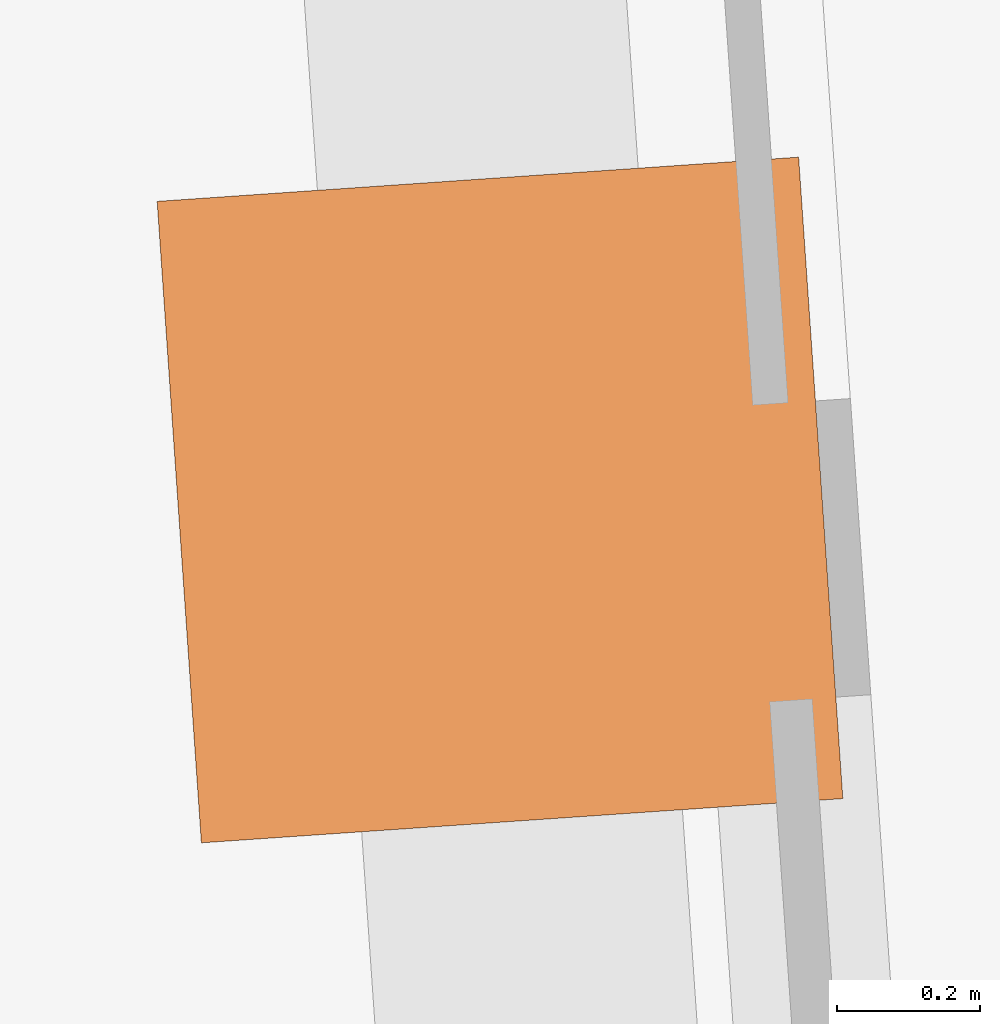
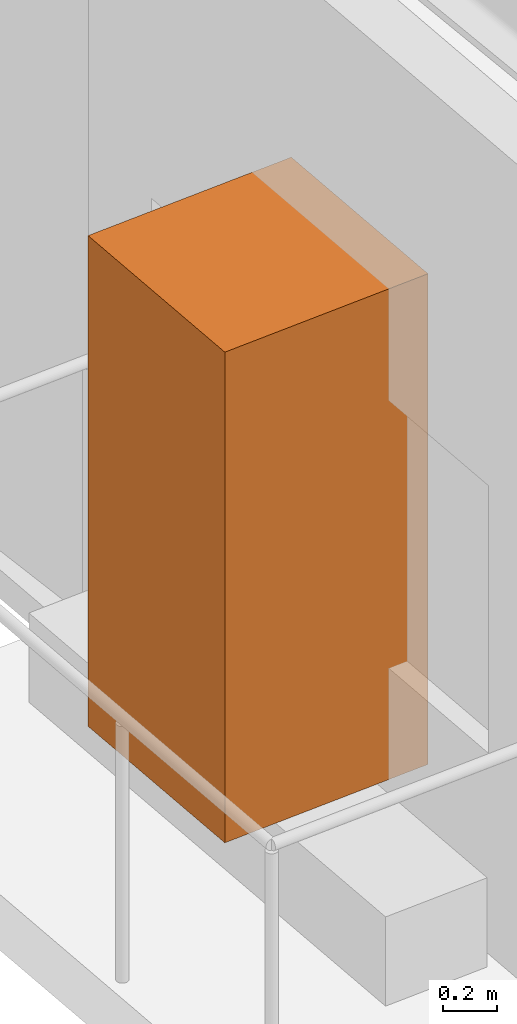
# One storey, part 11 of 11: 1 geographic element.
"""IFC4 building model written with IfcOpenShell, lengths in metres."""

from ifc_helpers import new_model, si_unit, direction, frame, origin, origin_2d, place, context, subcontext, project, spatial, rectangle, extrude, material, type_object, element, save


model = new_model("IFC4")

# Units and contexts
model_context = context("Model", 3, precision=1e-05, world=origin(), true_north=direction((0.0, 1.0)))
body_context = subcontext(model_context, "Body", "Model", "MODEL_VIEW")
ifc_project = project(units=[si_unit("LENGTHUNIT", "METRE"), si_unit("AREAUNIT", "SQUARE_METRE"), si_unit("VOLUMEUNIT", "CUBIC_METRE"), si_unit("PLANEANGLEUNIT", "RADIAN"), si_unit("MASSUNIT", "GRAM", prefix="KILO")], contexts=[model_context])

# Site, building, storey
site_placement = place(None, origin())
site = spatial("IfcSite", under=ifc_project, at=site_placement, CompositionType="ELEMENT")
building_placement = place(site_placement, origin())
building = spatial("IfcBuilding", under=site, at=building_placement, Name="Verdant Reach Tower", CompositionType="ELEMENT")
storey_placement = place(building_placement, frame((0.0, 0.0, 258.0)))
storey = spatial("IfcBuildingStorey", under=building, at=storey_placement, Name="L59", CompositionType="ELEMENT", Elevation=258.0)

# Geographic element
ifc_material = material(Name="Planting")
geographic_element_type = type_object("IfcGeographicElementType", Name="EN-TREE", PredefinedType="USERDEFINED", material=ifc_material)
geographic_element_placement = place(storey_placement, frame((-24.17626953125, 58.304931640625, 0.39990234375), z_axis=(0.0, 0.0, 1.0), x_axis=(0.068802091615, -0.997630328423, 0.0)))
element("IfcGeographicElement", 1, at=geographic_element_placement, inside=storey, type_object=geographic_element_type, Name="Balcony tree, Surinam cherry (Eugenia uniflora), L59 1", ObjectType="TREE", PredefinedType="USERDEFINED", context=body_context, shape_type="SweptSolid", body=[
    extrude(rectangle(XDim=0.89990234375, YDim=0.89990234375, at=origin_2d()), origin(), (0.0, 0.0, 1.0), 2.199951171875),
])

save(model, "model.ifc")
